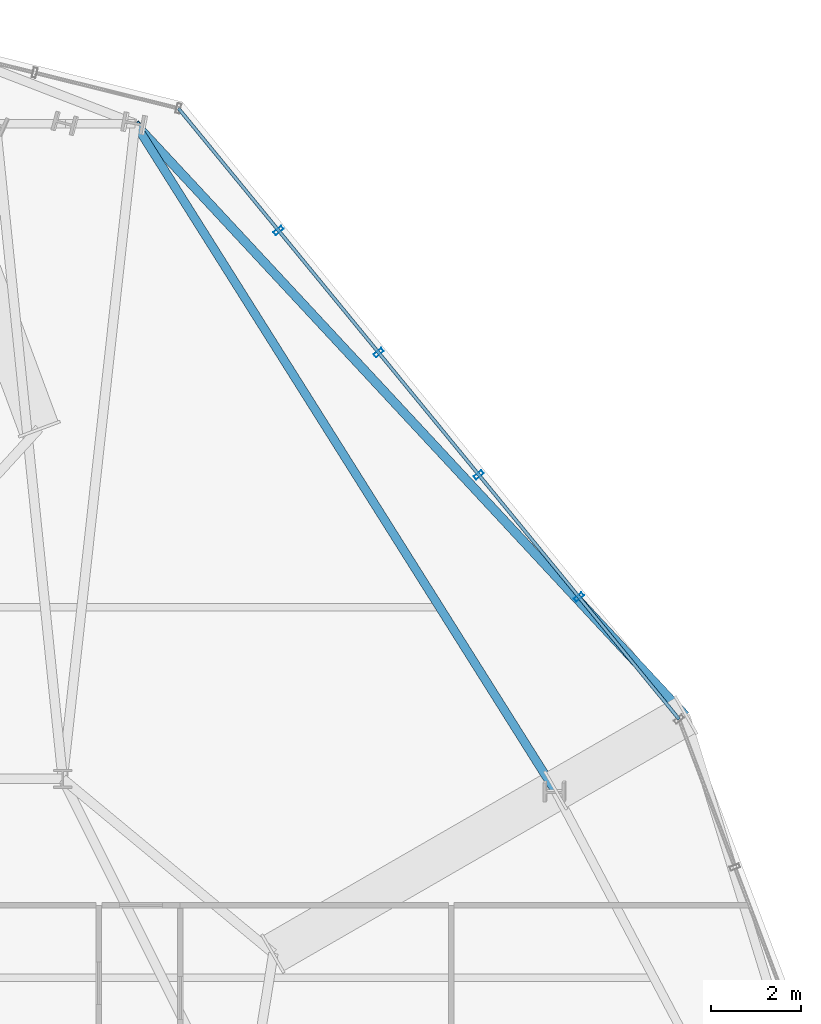
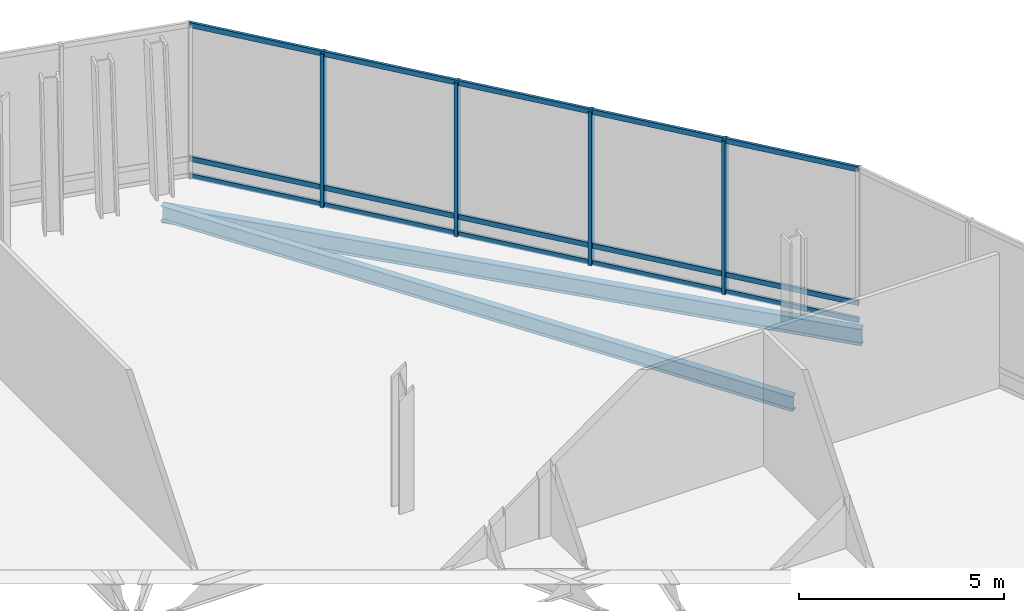
# One storey, part 18 of 26: 7 members, 2 beams, 1 element without a shape of its own.
"""IFC4 building model written with IfcOpenShell, lengths in metres."""

from ifc_helpers import new_model, si_unit, direction, frame, origin, origin_2d, place, context, subcontext, project, spatial, hollow_rectangle, i_section, extrude, material, layer, layer_set, material_profile, profile_set, type_object, element, aggregate, save


model = new_model("IFC4")

# Units and contexts
model_context = context("Model", 3, precision=1e-05, world=origin(), true_north=direction((0.0, 1.0)))
body_context = subcontext(model_context, "Body", "Model", "MODEL_VIEW")
ifc_project = project(units=[si_unit("LENGTHUNIT", "METRE"), si_unit("AREAUNIT", "SQUARE_METRE"), si_unit("VOLUMEUNIT", "CUBIC_METRE"), si_unit("PLANEANGLEUNIT", "RADIAN"), si_unit("MASSUNIT", "GRAM", prefix="KILO")], contexts=[model_context])

# Site, building, storey
site_placement = place(None, origin())
site = spatial("IfcSite", under=ifc_project, at=site_placement, CompositionType="ELEMENT")
building_placement = place(site_placement, origin())
building = spatial("IfcBuilding", under=site, at=building_placement, Name="Ndaravel Arena Tower", CompositionType="ELEMENT")
storey_placement = place(building_placement, frame((0.0, 0.0, 122.199951171875)))
storey = spatial("IfcBuildingStorey", under=building, at=storey_placement, Name="L28", CompositionType="ELEMENT", Elevation=122.199951171875)

# Beams
ifc_material_1 = material(Name="Steel S355", Category="steel")
ifc_material_profile_1 = material_profile(ifc_material_1, i_section(OverallWidth=0.18994140625, OverallDepth=0.449951171875, WebThickness=0.009521484375, FlangeThickness=0.0146484375, FilletRadius=0.02099609375, at=origin_2d()), Name="IPE 450")
ifc_profile_set_1 = profile_set([ifc_material_profile_1], Name="Steel S355")
beam_type_1 = type_object("IfcBeamType", Name="BM-SPAN-IPE450", PredefinedType="SPANDREL", material=ifc_profile_set_1)
beam_1_placement = place(storey_placement, frame((56.6982421875, 30.938232421875, -0.5048828125), z_axis=(-0.532796941141, 0.846243120806, 0.0), x_axis=(-0.846243120806, -0.532796941141, 0.0)))
element("IfcBeam", 1, at=beam_1_placement, inside=storey, type_object=beam_type_1, Name="L28 Perimeter Spandrel Beam SP-10", PredefinedType="SPANDREL", context=body_context, shape_type="SweptSolid", body=[
    extrude(i_section(OverallWidth=0.18994140625, OverallDepth=0.449951171875, WebThickness=0.009521484375, FlangeThickness=0.0146484375, FilletRadius=0.02099609375, at=origin_2d()), origin(), (0.0, 0.0, 1.0), 17.44873046875),
])
ifc_material_2 = material(Name="Steel S355", Category="steel")
ifc_material_profile_2 = material_profile(ifc_material_2, i_section(OverallWidth=0.199951171875, OverallDepth=0.5, WebThickness=0.01025390625, FlangeThickness=0.01611328125, FilletRadius=0.02099609375, at=origin_2d()), Name="IPE 500")
ifc_profile_set_2 = profile_set([ifc_material_profile_2], Name="Steel S355")
beam_type_2 = type_object("IfcBeamType", Name="BM-SPAN-IPE500", PredefinedType="SPANDREL", material=ifc_profile_set_2)
beam_2_placement = place(storey_placement, frame((59.582275390625, 32.603271484375, -0.530029296875), z_axis=(-0.680919474805, 0.732358292662, 0.0), x_axis=(-0.732358292662, -0.680919474805, 0.0)))
element("IfcBeam", 2, at=beam_2_placement, inside=storey, type_object=beam_type_2, Name="L28 Star Facet Edge Beam SEB-4", PredefinedType="SPANDREL", context=body_context, shape_type="SweptSolid", body=[
    extrude(i_section(OverallWidth=0.199951171875, OverallDepth=0.5, WebThickness=0.01025390625, FlangeThickness=0.01611328125, FilletRadius=0.02099609375, at=origin_2d()), origin(), (0.0, 0.0, 1.0), 17.888671875),
])

# Curtain wall, members
ifc_material_3 = material(Name="Aluminium", Category="aluminium")
ifc_layer = layer(ifc_material_3, 0.179931640625)
ifc_layer_set = layer_set([ifc_layer], Name="Aluminium")
curtain_wall_type = type_object("IfcCurtainWallType", Name="CW-SYS-04", PredefinedType="NOTDEFINED", material=ifc_layer_set)
curtain_wall_placement = place(storey_placement, origin())
curtain_wall = element("IfcCurtainWall", 3, at=curtain_wall_placement, inside=storey, type_object=curtain_wall_type, Name="L28 Faceted Crystal Curtain Wall CW-L28-E07", PredefinedType="NOTDEFINED")
ifc_material_4 = material(Name="Aluminium", Category="aluminium")
ifc_material_profile_3 = material_profile(ifc_material_4, hollow_rectangle(XDim=0.090087890625, YDim=0.219970703125, WallThickness=0.0048828125, at=origin_2d()), Name="CW MULLION 90x220x5")
ifc_profile_set_3 = profile_set([ifc_material_profile_3], Name="Aluminium")
member_type_1 = type_object("IfcMemberType", Name="MEM-CW-MUL220", PredefinedType="MULLION", material=ifc_profile_set_3)
member_1_placement = place(storey_placement, frame((57.2255859375, 35.22607421875, 0.0), z_axis=(0.0, 0.0, 1.0), x_axis=(-0.633934458857, 0.773386773791, 0.0)))
member_1 = element("IfcMember", 4, at=member_1_placement, type_object=member_type_1, Name="CW-L28-E07 Mullion 01", PredefinedType="MULLION", context=body_context, shape_type="SweptSolid", body=[
    extrude(hollow_rectangle(XDim=0.090087890625, YDim=0.219970703125, WallThickness=0.0048828125, at=origin_2d()), origin(), (0.0, 0.0, 1.0), 4.580078125),
])
member_2_placement = place(storey_placement, frame((55.00927734375, 37.929931640625, 0.0), z_axis=(0.0, 0.0, 1.0), x_axis=(-0.633934458857, 0.773386773791, 0.0)))
member_2 = element("IfcMember", 5, at=member_2_placement, type_object=member_type_1, Name="CW-L28-E07 Mullion 02", PredefinedType="MULLION", context=body_context, shape_type="SweptSolid", body=[
    extrude(hollow_rectangle(XDim=0.090087890625, YDim=0.219970703125, WallThickness=0.0048828125, at=origin_2d()), origin(), (0.0, 0.0, 1.0), 4.580078125),
])
member_3_placement = place(storey_placement, frame((52.79296875, 40.6337890625, 0.0), z_axis=(0.0, 0.0, 1.0), x_axis=(-0.633934458857, 0.773386773791, 0.0)))
member_3 = element("IfcMember", 6, at=member_3_placement, type_object=member_type_1, Name="CW-L28-E07 Mullion 03", PredefinedType="MULLION", context=body_context, shape_type="SweptSolid", body=[
    extrude(hollow_rectangle(XDim=0.090087890625, YDim=0.219970703125, WallThickness=0.0048828125, at=origin_2d()), origin(), (0.0, 0.0, 1.0), 4.580078125),
])
member_4_placement = place(storey_placement, frame((50.57666015625, 43.337646484375, 0.0), z_axis=(0.0, 0.0, 1.0), x_axis=(-0.633934458857, 0.773386773791, 0.0)))
member_4 = element("IfcMember", 7, at=member_4_placement, type_object=member_type_1, Name="CW-L28-E07 Mullion 04", PredefinedType="MULLION", context=body_context, shape_type="SweptSolid", body=[
    extrude(hollow_rectangle(XDim=0.090087890625, YDim=0.219970703125, WallThickness=0.0048828125, at=origin_2d()), origin(), (0.0, 0.0, 1.0), 4.580078125),
])
ifc_material_5 = material(Name="Aluminium", Category="aluminium")
ifc_material_profile_4 = material_profile(ifc_material_5, hollow_rectangle(XDim=0.074951171875, YDim=0.14990234375, WallThickness=0.00390625, at=origin_2d()), Name="CW TRANSOM 75x150x4")
ifc_profile_set_4 = profile_set([ifc_material_profile_4], Name="Aluminium")
member_type_2 = type_object("IfcMemberType", Name="MEM-CW-TRN150", PredefinedType="USERDEFINED", material=ifc_profile_set_4)
member_5_placement = place(storey_placement, frame((59.44189453125, 32.522216796875, 0.0400390625), z_axis=(-0.633933432757, 0.773387614869, 0.0), x_axis=(-0.773387614869, -0.633933432757, 0.0)))
member_5 = element("IfcMember", 8, at=member_5_placement, type_object=member_type_2, Name="CW-L28-E07 Transom 01", ObjectType="TRANSOM", PredefinedType="USERDEFINED", context=body_context, shape_type="SweptSolid", body=[
    extrude(hollow_rectangle(XDim=0.074951171875, YDim=0.14990234375, WallThickness=0.00390625, at=origin_2d()), origin(), (0.0, 0.0, 1.0), 17.480712890625),
])
member_6_placement = place(storey_placement, frame((59.44189453125, 32.522216796875, 0.550048828125), z_axis=(-0.633933432757, 0.773387614869, 0.0), x_axis=(-0.773387614869, -0.633933432757, 0.0)))
member_6 = element("IfcMember", 9, at=member_6_placement, type_object=member_type_2, Name="CW-L28-E07 Transom 02", ObjectType="TRANSOM", PredefinedType="USERDEFINED", context=body_context, shape_type="SweptSolid", body=[
    extrude(hollow_rectangle(XDim=0.074951171875, YDim=0.14990234375, WallThickness=0.00390625, at=origin_2d()), origin(), (0.0, 0.0, 1.0), 17.480712890625),
])
member_7_placement = place(storey_placement, frame((59.44189453125, 32.522216796875, 4.5400390625), z_axis=(-0.633933432757, 0.773387614869, 0.0), x_axis=(-0.773387614869, -0.633933432757, 0.0)))
member_7 = element("IfcMember", 10, at=member_7_placement, type_object=member_type_2, Name="CW-L28-E07 Transom 03", ObjectType="TRANSOM", PredefinedType="USERDEFINED", context=body_context, shape_type="SweptSolid", body=[
    extrude(hollow_rectangle(XDim=0.074951171875, YDim=0.14990234375, WallThickness=0.00390625, at=origin_2d()), origin(), (0.0, 0.0, 1.0), 17.480712890625),
])
aggregate(curtain_wall, [member_1, member_2, member_3, member_4, member_5, member_6, member_7])

save(model, "model.ifc")
